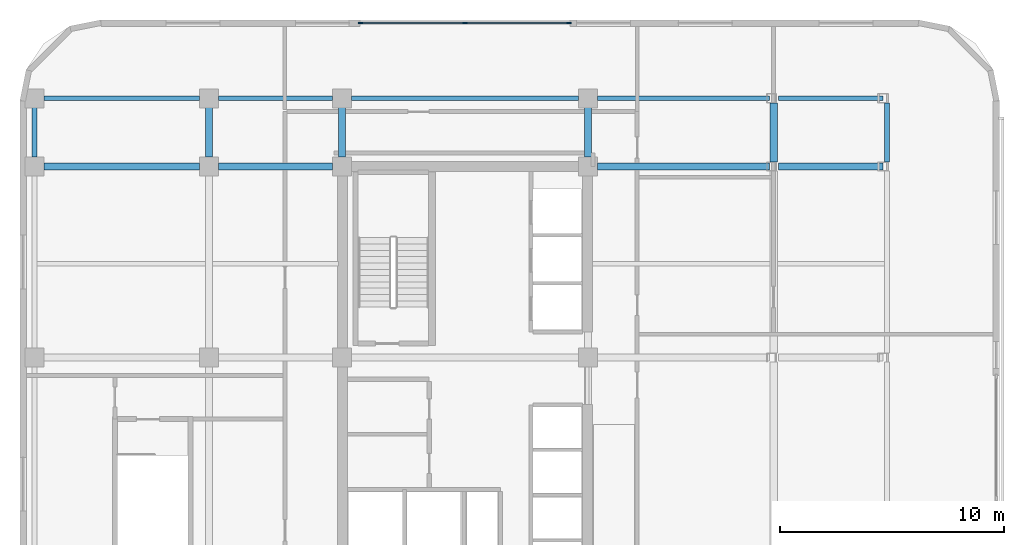
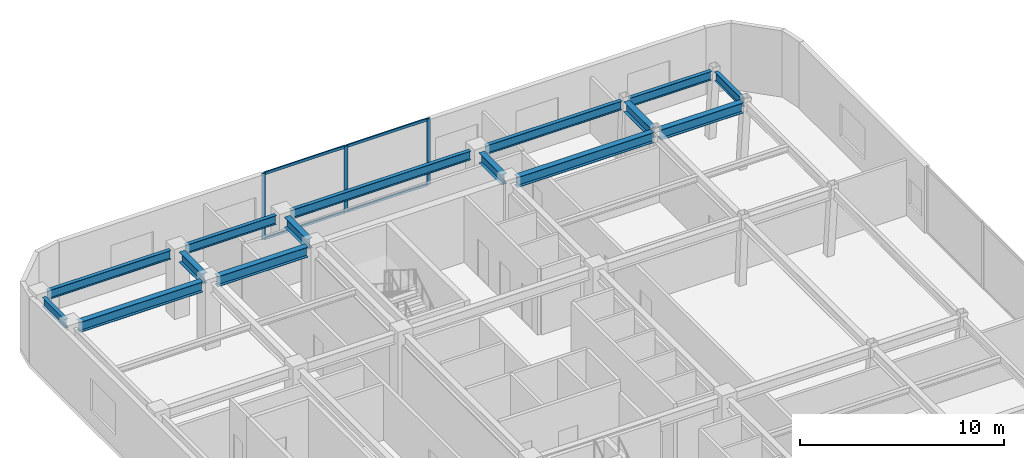
# One storey, part 5 of 13: 15 beams, 7 members, 1 element without a shape of its own.
"""IFC4 building model written with IfcOpenShell, lengths in metres."""

from ifc_helpers import new_model, si_unit, direction, frame, origin, origin_2d, place, context, subcontext, project, spatial, rectangle, i_section, extrude, material, layer, layer_set, material_profile, profile_set, type_object, element, aggregate, save


model = new_model("IFC4")

# Units and contexts
model_context = context("Model", 3, precision=1e-05, world=origin(), true_north=direction((0.0, 1.0)))
body_context = subcontext(model_context, "Body", "Model", "MODEL_VIEW")
ifc_project = project(units=[si_unit("LENGTHUNIT", "METRE"), si_unit("AREAUNIT", "SQUARE_METRE"), si_unit("VOLUMEUNIT", "CUBIC_METRE"), si_unit("PLANEANGLEUNIT", "RADIAN"), si_unit("MASSUNIT", "GRAM", prefix="KILO")], contexts=[model_context])

# Site, building, storey
site_placement = place(None, origin())
site = spatial("IfcSite", under=ifc_project, at=site_placement, CompositionType="ELEMENT")
building_placement = place(site_placement, origin())
building = spatial("IfcBuilding", under=site, at=building_placement, Name="Ochreholt Gables", CompositionType="ELEMENT")
storey_placement = place(building_placement, frame((0.0, 0.0, 98.39990234375)))
storey = spatial("IfcBuildingStorey", under=building, at=storey_placement, Name="L25", CompositionType="ELEMENT", Elevation=98.39990234375)

# Beams
ifc_material_1 = material(Name="Steel CSA G40.21 350W", Category="steel")
ifc_material_profile_1 = material_profile(ifc_material_1, i_section(OverallWidth=0.323974609375, OverallDepth=0.611083984375, WebThickness=0.0126953125, FlangeThickness=0.01904296875, at=origin_2d()), Name="W610X155")
ifc_profile_set_1 = profile_set([ifc_material_profile_1], Name="Steel CSA G40.21 350W")
beam_type_1 = type_object("IfcBeamType", Name="BM-G-W610A", PredefinedType="BEAM", material=ifc_profile_set_1)
beam_1_placement = place(storey_placement, frame((10.87451171875, 38.75, 3.654541015625), z_axis=(1.0, 0.0, 0.0), x_axis=(0.0, 1.0, 0.0)))
element("IfcBeam", 1, at=beam_1_placement, inside=storey, type_object=beam_type_1, Name="L25 Beam TBG-L25-W2W3-Y5", PredefinedType="BEAM", context=body_context, shape_type="SweptSolid", body=[
    extrude(i_section(OverallWidth=0.323974609375, OverallDepth=0.611083984375, WebThickness=0.0126953125, FlangeThickness=0.01904296875, at=origin_2d()), origin(), (0.0, 0.0, 1.0), 6.950927734375),
])
beam_2_placement = place(storey_placement, frame((18.674560546875, 38.75, 3.654541015625), z_axis=(1.0, 0.0, 0.0), x_axis=(0.0, 1.0, 0.0)))
element("IfcBeam", 2, at=beam_2_placement, inside=storey, type_object=beam_type_1, Name="L25 Beam TBG-L25-W3C1-Y5", PredefinedType="BEAM", context=body_context, shape_type="SweptSolid", body=[
    extrude(i_section(OverallWidth=0.323974609375, OverallDepth=0.611083984375, WebThickness=0.0126953125, FlangeThickness=0.01904296875, at=origin_2d()), origin(), (0.0, 0.0, 1.0), 5.100830078125),
])
beam_3_placement = place(storey_placement, frame((35.62451171875, 38.75, 3.654541015625), z_axis=(1.0, 0.0, 0.0), x_axis=(0.0, 1.0, 0.0)))
element("IfcBeam", 3, at=beam_3_placement, inside=storey, type_object=beam_type_1, Name="L25 Beam TBG-L25-C2EM-Y5", PredefinedType="BEAM", context=body_context, shape_type="SweptSolid", body=[
    extrude(i_section(OverallWidth=0.323974609375, OverallDepth=0.611083984375, WebThickness=0.0126953125, FlangeThickness=0.01904296875, at=origin_2d()), origin(), (0.0, 0.0, 1.0), 7.699951171875),
])
beam_4_placement = place(storey_placement, frame((43.7294921875, 38.75, 3.654541015625), z_axis=(1.0, 0.0, 0.0), x_axis=(0.0, 1.0, 0.0)))
element("IfcBeam", 4, at=beam_4_placement, inside=storey, type_object=beam_type_1, Name="L25 Beam TBG-L25-EMEE-Y5", PredefinedType="BEAM", context=body_context, shape_type="SweptSolid", body=[
    extrude(i_section(OverallWidth=0.323974609375, OverallDepth=0.611083984375, WebThickness=0.0126953125, FlangeThickness=0.01904296875, at=origin_2d()), origin(), (0.0, 0.0, 1.0), 4.675537109375),
])
for number, where, z_axis, x_axis, name in (
    (5, (18.25, 39.174560546875, 3.654541015625), (0.0, 1.0, 0.0), (-1.0, 0.0, 0.0), "L25 Beam TBN-L25-W3-Y5Y6"),
    (6, (24.199951171875, 39.174560546875, 3.654541015625), (0.0, 1.0, 0.0), (-1.0, 0.0, 0.0), "L25 Beam TBN-L25-C1-Y5Y6"),
    (7, (35.199951171875, 39.174560546875, 3.654541015625), (0.0, 1.0, 0.0), (-1.0, 0.0, 0.0), "L25 Beam TBN-L25-C2-Y5Y6"),
):
    element("IfcBeam", number, at=place(storey_placement, frame(where, z_axis=z_axis, x_axis=x_axis)), inside=storey, type_object=beam_type_1, Name=name, PredefinedType="BEAM", context=body_context, shape_type="SweptSolid", body=[
        extrude(i_section(OverallWidth=0.323974609375, OverallDepth=0.611083984375, WebThickness=0.0126953125, FlangeThickness=0.01904296875, at=origin_2d()), origin(), (0.0, 0.0, 1.0), 2.200927734375),
    ])
beam_5_placement = place(storey_placement, frame((43.510009765625, 38.95263671875, 3.654541015625), z_axis=(0.0, 1.0, 0.0), x_axis=(-1.0, 0.0, 0.0)))
element("IfcBeam", 8, at=beam_5_placement, inside=storey, type_object=beam_type_1, Name="L25 Beam TBN-L25-EM-Y5Y6", PredefinedType="BEAM", context=body_context, shape_type="SweptSolid", body=[
    extrude(i_section(OverallWidth=0.323974609375, OverallDepth=0.611083984375, WebThickness=0.0126953125, FlangeThickness=0.01904296875, at=origin_2d()), origin(), (0.0, 0.0, 1.0), 2.644775390625),
])
ifc_material_profile_2 = material_profile(ifc_material_1, i_section(OverallWidth=0.208984375, OverallDepth=0.532958984375, WebThickness=0.01025390625, FlangeThickness=0.015625, at=origin_2d()), Name="W530X92")
ifc_profile_set_2 = profile_set([ifc_material_profile_2], Name="Steel CSA G40.21 350W")
beam_type_2 = type_object("IfcBeamType", Name="BM-SP-W530B", PredefinedType="SPANDREL", material=ifc_profile_set_2)
beam_6_placement = place(storey_placement, frame((10.87451171875, 41.800048828125, 3.693603515625), z_axis=(1.0, 0.0, 0.0), x_axis=(0.0, 1.0, 0.0)))
element("IfcBeam", 9, at=beam_6_placement, inside=storey, type_object=beam_type_2, Name="L25 Beam TBG-L25-W2W3-Y6", PredefinedType="SPANDREL", context=body_context, shape_type="SweptSolid", body=[
    extrude(i_section(OverallWidth=0.208984375, OverallDepth=0.532958984375, WebThickness=0.01025390625, FlangeThickness=0.015625, at=origin_2d()), origin(), (0.0, 0.0, 1.0), 6.950927734375),
])
beam_7_placement = place(storey_placement, frame((18.674560546875, 41.800048828125, 3.693603515625), z_axis=(1.0, 0.0, 0.0), x_axis=(0.0, 1.0, 0.0)))
element("IfcBeam", 10, at=beam_7_placement, inside=storey, type_object=beam_type_2, Name="L25 Beam TBG-L25-W3C1-Y6", PredefinedType="SPANDREL", context=body_context, shape_type="SweptSolid", body=[
    extrude(i_section(OverallWidth=0.208984375, OverallDepth=0.532958984375, WebThickness=0.01025390625, FlangeThickness=0.015625, at=origin_2d()), origin(), (0.0, 0.0, 1.0), 5.100830078125),
])
beam_8_placement = place(storey_placement, frame((24.62451171875, 41.800048828125, 3.693603515625), z_axis=(1.0, 0.0, 0.0), x_axis=(0.0, 1.0, 0.0)))
element("IfcBeam", 11, at=beam_8_placement, inside=storey, type_object=beam_type_2, Name="L25 Beam TBG-L25-C1C2-Y6", PredefinedType="SPANDREL", context=body_context, shape_type="SweptSolid", body=[
    extrude(i_section(OverallWidth=0.208984375, OverallDepth=0.532958984375, WebThickness=0.01025390625, FlangeThickness=0.015625, at=origin_2d()), origin(), (0.0, 0.0, 1.0), 10.15087890625),
])
beam_9_placement = place(storey_placement, frame((35.62451171875, 41.800048828125, 3.693603515625), z_axis=(1.0, 0.0, 0.0), x_axis=(0.0, 1.0, 0.0)))
element("IfcBeam", 12, at=beam_9_placement, inside=storey, type_object=beam_type_2, Name="L25 Beam TBG-L25-C2EM-Y6", PredefinedType="SPANDREL", context=body_context, shape_type="SweptSolid", body=[
    extrude(i_section(OverallWidth=0.208984375, OverallDepth=0.532958984375, WebThickness=0.01025390625, FlangeThickness=0.015625, at=origin_2d()), origin(), (0.0, 0.0, 1.0), 7.699951171875),
])
beam_10_placement = place(storey_placement, frame((43.7294921875, 41.800048828125, 3.693603515625), z_axis=(1.0, 0.0, 0.0), x_axis=(0.0, 1.0, 0.0)))
element("IfcBeam", 13, at=beam_10_placement, inside=storey, type_object=beam_type_2, Name="L25 Beam TBG-L25-EMEE-Y6", PredefinedType="SPANDREL", context=body_context, shape_type="SweptSolid", body=[
    extrude(i_section(OverallWidth=0.208984375, OverallDepth=0.532958984375, WebThickness=0.01025390625, FlangeThickness=0.015625, at=origin_2d()), origin(), (0.0, 0.0, 1.0), 4.675537109375),
])
beam_11_placement = place(storey_placement, frame((10.449951171875, 39.174560546875, 3.693603515625), z_axis=(0.0, 1.0, 0.0), x_axis=(-1.0, 0.0, 0.0)))
element("IfcBeam", 14, at=beam_11_placement, inside=storey, type_object=beam_type_2, Name="L25 Beam TBN-L25-W2-Y5Y6", PredefinedType="SPANDREL", context=body_context, shape_type="SweptSolid", body=[
    extrude(i_section(OverallWidth=0.208984375, OverallDepth=0.532958984375, WebThickness=0.01025390625, FlangeThickness=0.015625, at=origin_2d()), origin(), (0.0, 0.0, 1.0), 2.200927734375),
])
beam_12_placement = place(storey_placement, frame((48.5791015625, 38.95263671875, 3.693603515625), z_axis=(0.0, 1.0, 0.0), x_axis=(-1.0, 0.0, 0.0)))
element("IfcBeam", 15, at=beam_12_placement, inside=storey, type_object=beam_type_2, Name="L25 Beam TBN-L25-EE-Y5Y6", PredefinedType="SPANDREL", context=body_context, shape_type="SweptSolid", body=[
    extrude(i_section(OverallWidth=0.208984375, OverallDepth=0.532958984375, WebThickness=0.01025390625, FlangeThickness=0.015625, at=origin_2d()), origin(), (0.0, 0.0, 1.0), 2.644775390625),
])

# Curtain wall, members
ifc_material_2 = material(Name="Unitised Aluminium and Triple Glazing", Category="aluminium")
ifc_layer = layer(ifc_material_2, 0.219970703125, Name="Unitised Aluminium and Triple Glazing")
ifc_layer_set = layer_set([ifc_layer], Name="Unitised Aluminium and Triple Glazing")
curtain_wall_type = type_object("IfcCurtainWallType", Name="CW-SYS6", PredefinedType="NOTDEFINED", material=ifc_layer_set)
curtain_wall_placement = place(storey_placement, origin())
curtain_wall = element("IfcCurtainWall", 16, at=curtain_wall_placement, inside=storey, type_object=curtain_wall_type, Name="L25 North Unitised Curtain Wall", PredefinedType="NOTDEFINED")
ifc_material_3 = material(Name="Anodized Aluminium 6063-T6", Category="aluminium")
ifc_material_profile_3 = material_profile(ifc_material_3, rectangle(XDim=0.074951171875, YDim=0.199951171875, at=origin_2d()), Name="CWM75X200")
ifc_profile_set_3 = profile_set([ifc_material_profile_3], Name="Anodized Aluminium 6063-T6")
member_type_1 = type_object("IfcMemberType", Name="CW-MUL-A", PredefinedType="MULLION", material=ifc_profile_set_3)
member_1_placement = place(storey_placement, frame((34.362548828125, 45.159912109375, 0.0), z_axis=(0.0, 0.0, 1.0), x_axis=(0.0, -1.0, 0.0)))
member_1 = element("IfcMember", 17, at=member_1_placement, type_object=member_type_1, Name="CW-6 mullion 1", PredefinedType="MULLION", context=body_context, shape_type="SweptSolid", body=[
    extrude(rectangle(XDim=0.074951171875, YDim=0.199951171875, at=origin_2d()), origin(), (0.0, 0.0, 1.0), 3.960205078125),
])
member_2_placement = place(storey_placement, frame((29.699951171875, 45.159912109375, 0.0), z_axis=(0.0, 0.0, 1.0), x_axis=(0.0, -1.0, 0.0)))
member_2 = element("IfcMember", 18, at=member_2_placement, type_object=member_type_1, Name="CW-6 mullion 2", PredefinedType="MULLION", context=body_context, shape_type="SweptSolid", body=[
    extrude(rectangle(XDim=0.074951171875, YDim=0.199951171875, at=origin_2d()), origin(), (0.0, 0.0, 1.0), 3.960205078125),
])
member_3_placement = place(storey_placement, frame((25.03759765625, 45.159912109375, 0.0), z_axis=(0.0, 0.0, 1.0), x_axis=(0.0, -1.0, 0.0)))
member_3 = element("IfcMember", 19, at=member_3_placement, type_object=member_type_1, Name="CW-6 mullion 3", PredefinedType="MULLION", context=body_context, shape_type="SweptSolid", body=[
    extrude(rectangle(XDim=0.074951171875, YDim=0.199951171875, at=origin_2d()), origin(), (0.0, 0.0, 1.0), 3.960205078125),
])
ifc_material_profile_4 = material_profile(ifc_material_3, rectangle(XDim=0.074951171875, YDim=0.159912109375, at=origin_2d()), Name="CWT75X160")
ifc_profile_set_4 = profile_set([ifc_material_profile_4], Name="Anodized Aluminium 6063-T6")
member_type_2 = type_object("IfcMemberType", Name="CW-TRN-A", PredefinedType="USERDEFINED", material=ifc_profile_set_4)
member_4_placement = place(storey_placement, frame((34.324951171875, 45.159912109375, 0.03759765625), z_axis=(-1.0, 0.0, 0.0), x_axis=(0.0, -1.0, 0.0)))
member_4 = element("IfcMember", 20, at=member_4_placement, type_object=member_type_2, Name="CW-6 transom 1.1", ObjectType="TRANSOM", PredefinedType="USERDEFINED", context=body_context, shape_type="SweptSolid", body=[
    extrude(rectangle(XDim=0.074951171875, YDim=0.159912109375, at=origin_2d()), origin(), (0.0, 0.0, 1.0), 4.58740234375),
])
member_5_placement = place(storey_placement, frame((34.324951171875, 45.159912109375, 3.922607421875), z_axis=(-1.0, 0.0, 0.0), x_axis=(0.0, -1.0, 0.0)))
member_5 = element("IfcMember", 21, at=member_5_placement, type_object=member_type_2, Name="CW-6 transom 1.2", ObjectType="TRANSOM", PredefinedType="USERDEFINED", context=body_context, shape_type="SweptSolid", body=[
    extrude(rectangle(XDim=0.074951171875, YDim=0.159912109375, at=origin_2d()), origin(), (0.0, 0.0, 1.0), 4.58740234375),
])
member_6_placement = place(storey_placement, frame((29.66259765625, 45.159912109375, 0.03759765625), z_axis=(-1.0, 0.0, 0.0), x_axis=(0.0, -1.0, 0.0)))
member_6 = element("IfcMember", 22, at=member_6_placement, type_object=member_type_2, Name="CW-6 transom 2.1", ObjectType="TRANSOM", PredefinedType="USERDEFINED", context=body_context, shape_type="SweptSolid", body=[
    extrude(rectangle(XDim=0.074951171875, YDim=0.159912109375, at=origin_2d()), origin(), (0.0, 0.0, 1.0), 4.587646484375),
])
member_7_placement = place(storey_placement, frame((29.66259765625, 45.159912109375, 3.922607421875), z_axis=(-1.0, 0.0, 0.0), x_axis=(0.0, -1.0, 0.0)))
member_7 = element("IfcMember", 23, at=member_7_placement, type_object=member_type_2, Name="CW-6 transom 2.2", ObjectType="TRANSOM", PredefinedType="USERDEFINED", context=body_context, shape_type="SweptSolid", body=[
    extrude(rectangle(XDim=0.074951171875, YDim=0.159912109375, at=origin_2d()), origin(), (0.0, 0.0, 1.0), 4.587646484375),
])
aggregate(curtain_wall, [member_1, member_2, member_3, member_4, member_5, member_6, member_7])

save(model, "model.ifc")
